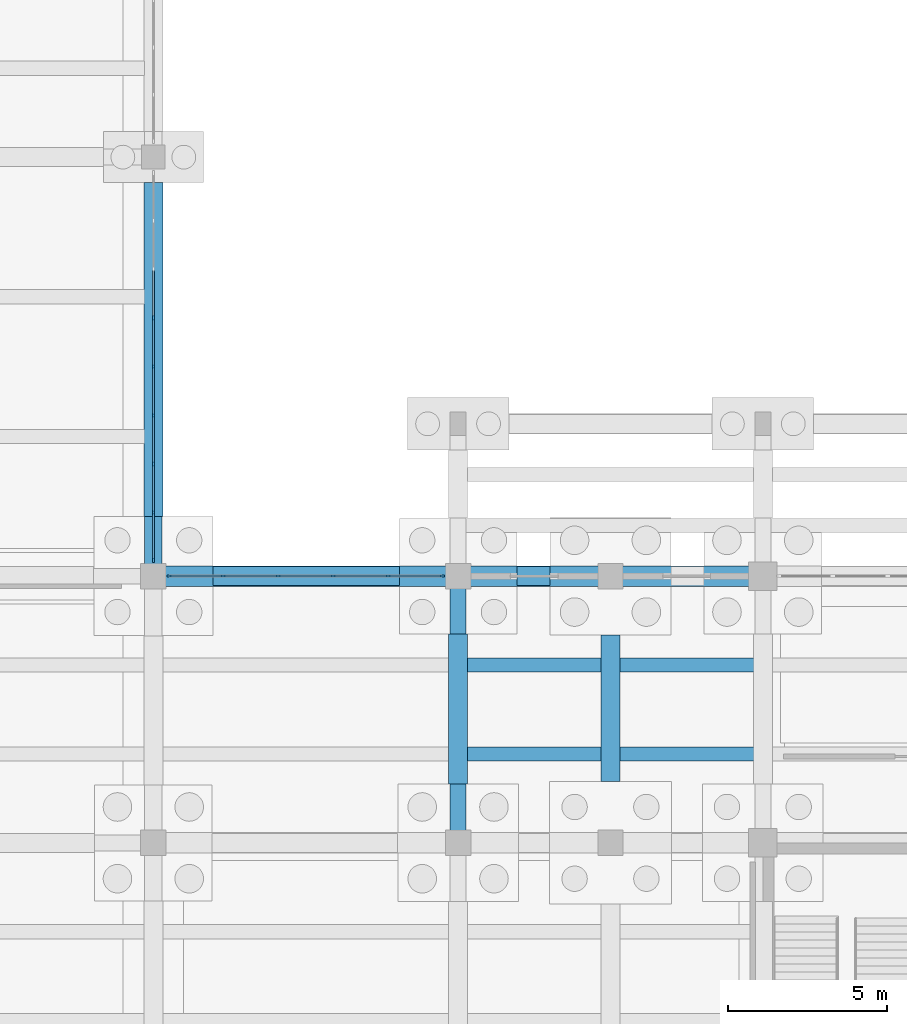
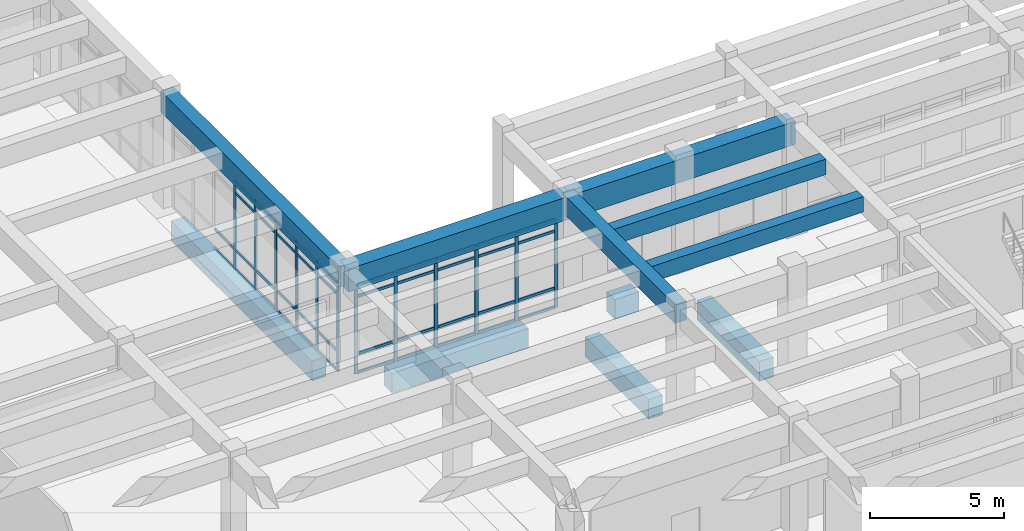
# One storey, part 19 of 102: 54 members, 11 beams, 2 elements without a shape of their own.
"""IFC4 building model written with IfcOpenShell, lengths in metres."""

from ifc_helpers import new_model, si_unit, direction, frame, origin, origin_2d, place, context, subcontext, project, spatial, rectangle, extrude, material, layer, layer_set, material_profile, profile_set, type_object, element, aggregate, save


model = new_model("IFC4")

# Units and contexts
model_context = context("Model", 3, precision=1e-05, world=origin(), true_north=direction((0.0, 1.0)))
body_context = subcontext(model_context, "Body", "Model", "MODEL_VIEW")
ifc_project = project(units=[si_unit("LENGTHUNIT", "METRE"), si_unit("AREAUNIT", "SQUARE_METRE"), si_unit("VOLUMEUNIT", "CUBIC_METRE"), si_unit("PLANEANGLEUNIT", "RADIAN"), si_unit("MASSUNIT", "GRAM", prefix="KILO")], contexts=[model_context])

# Site, building, storey
site_placement = place(None, origin())
site = spatial("IfcSite", under=ifc_project, at=site_placement, CompositionType="ELEMENT")
building_placement = place(site_placement, origin())
building = spatial("IfcBuilding", under=site, at=building_placement, Name="Kolvemor Railside Polytechnic", CompositionType="ELEMENT")
storey_placement = place(building_placement, origin())
storey = spatial("IfcBuildingStorey", under=building, at=storey_placement, Name="L00", CompositionType="ELEMENT", Elevation=0.0)

# Beams
ifc_material_1 = material(Name="Concrete C40/50", Category="concrete")
ifc_material_profile_1 = material_profile(ifc_material_1, rectangle(XDim=0.550048828125, YDim=0.949951171875, at=origin_2d()), Name="RC550x950")
ifc_profile_set_1 = profile_set([ifc_material_profile_1], Name="Concrete C40/50")
beam_type_1 = type_object("IfcBeamType", Name="BM-RC-GIRD", PredefinedType="BEAM", material=ifc_profile_set_1)
beam_1_placement = place(storey_placement, frame((48.0, 38.39990234375, 4.635009765625), z_axis=(0.0, 1.0, 0.0), x_axis=(-1.0, 0.0, 0.0)))
element("IfcBeam", 1, at=beam_1_placement, inside=storey, type_object=beam_type_1, Name="Primary Girder L01-GY 0100", PredefinedType="BEAM", context=body_context, shape_type="SweptSolid", body=[
    extrude(rectangle(XDim=0.550048828125, YDim=0.949951171875, at=origin_2d()), origin(), (0.0, 0.0, 1.0), 13.2001953125),
])
ifc_material_2 = material(Name="Concrete C40/50", Category="concrete")
ifc_material_profile_2 = material_profile(ifc_material_2, rectangle(XDim=0.64990234375, YDim=1.050048828125, at=origin_2d()), Name="RC650x1050")
ifc_profile_set_2 = profile_set([ifc_material_profile_2], Name="Concrete C40/50")
beam_type_2 = type_object("IfcBeamType", Name="BM-RC-GIRD2", PredefinedType="BEAM", material=ifc_profile_set_2)
beam_2_placement = place(storey_placement, frame((48.0, 38.39990234375, 4.5849609375), z_axis=(1.0, 0.0, 0.0), x_axis=(0.0, 1.0, 0.0)))
element("IfcBeam", 2, at=beam_2_placement, inside=storey, type_object=beam_type_2, Name="Primary Girder L01-GX 0227", PredefinedType="BEAM", context=body_context, shape_type="SweptSolid", body=[
    extrude(rectangle(XDim=0.64990234375, YDim=1.050048828125, at=origin_2d()), origin(), (0.0, 0.0, 1.0), 9.60009765625),
])
beam_3_placement = place(storey_placement, frame((57.60009765625, 38.39990234375, 4.5849609375), z_axis=(1.0, 0.0, 0.0), x_axis=(0.0, 1.0, 0.0)))
element("IfcBeam", 3, at=beam_3_placement, inside=storey, type_object=beam_type_2, Name="Primary Girder L01-GX 0228", PredefinedType="BEAM", context=body_context, shape_type="SweptSolid", body=[
    extrude(rectangle(XDim=0.64990234375, YDim=1.050048828125, at=origin_2d()), origin(), (0.0, 0.0, 1.0), 9.599853515625),
])
ifc_material_3 = material(Name="Concrete C40/50", Category="concrete")
ifc_material_profile_3 = material_profile(ifc_material_3, rectangle(XDim=0.5, YDim=0.85009765625, at=origin_2d()), Name="RC500x850")
ifc_profile_set_3 = profile_set([ifc_material_profile_3], Name="Concrete C40/50")
beam_type_3 = type_object("IfcBeamType", Name="BM-RC-GIRD3", PredefinedType="BEAM", material=ifc_profile_set_3)
beam_4_placement = place(storey_placement, frame((57.60009765625, 30.0, 4.68505859375), z_axis=(0.0, 1.0, 0.0), x_axis=(-1.0, 0.0, 0.0)))
element("IfcBeam", 4, at=beam_4_placement, inside=storey, type_object=beam_type_3, Name="Primary Girder L01-GY 0239", PredefinedType="BEAM", context=body_context, shape_type="SweptSolid", body=[
    extrude(rectangle(XDim=0.5, YDim=0.85009765625, at=origin_2d()), origin(), (0.0, 0.0, 1.0), 8.39990234375),
])
ifc_material_4 = material(Name="Concrete C40/50", Category="concrete")
ifc_material_profile_4 = material_profile(ifc_material_4, rectangle(XDim=0.449951171875, YDim=0.699951171875, at=origin_2d()), Name="RC450x700")
ifc_profile_set_4 = profile_set([ifc_material_profile_4], Name="Concrete C40/50")
beam_type_4 = type_object("IfcBeamType", Name="BM-RC-SEC2", PredefinedType="JOIST", material=ifc_profile_set_4)
for number, where, z_axis, x_axis, name in (
    (5, (57.85009765625, 32.800048828125, 4.760009765625), (1.0, 0.0, 0.0), (0.0, 1.0, 0.0), "Floor Joist L01-J0286"),
    (6, (57.85009765625, 35.60009765625, 4.760009765625), (1.0, 0.0, 0.0), (0.0, 1.0, 0.0), "Floor Joist L01-J0287"),
):
    element("IfcBeam", number, at=place(storey_placement, frame(where, z_axis=z_axis, x_axis=x_axis)), inside=storey, type_object=beam_type_4, Name=name, PredefinedType="JOIST", context=body_context, shape_type="SweptSolid", body=[
        extrude(rectangle(XDim=0.449951171875, YDim=0.699951171875, at=origin_2d()), origin(), (0.0, 0.0, 1.0), 9.099853515625),
    ])
ifc_material_5 = material(Name="Concrete C40/50", Category="concrete")
ifc_material_profile_5 = material_profile(ifc_material_5, rectangle(XDim=0.60009765625, YDim=0.89990234375, at=origin_2d()), Name="RC600x900")
ifc_profile_set_5 = profile_set([ifc_material_profile_5], Name="Concrete C40/50")
beam_type_5 = type_object("IfcBeamType", Name="BM-RC-TIE", PredefinedType="BEAM", material=ifc_profile_set_5)
beam_5_placement = place(storey_placement, frame((49.876953125, 38.39990234375, -0.75), z_axis=(1.0, 0.0, 0.0), x_axis=(0.0, 1.0, 0.0)))
element("IfcBeam", 7, at=beam_5_placement, inside=storey, type_object=beam_type_5, Name="Ground Tie Beam GTB-X112", PredefinedType="BEAM", context=body_context, shape_type="SweptSolid", body=[
    extrude(rectangle(XDim=0.60009765625, YDim=0.89990234375, at=origin_2d()), origin(), (0.0, 0.0, 1.0), 5.87109375),
])
beam_6_placement = place(storey_placement, frame((59.451904296875, 38.39990234375, -0.75), z_axis=(1.0, 0.0, 0.0), x_axis=(0.0, 1.0, 0.0)))
element("IfcBeam", 8, at=beam_6_placement, inside=storey, type_object=beam_type_5, Name="Ground Tie Beam GTB-X113", PredefinedType="BEAM", context=body_context, shape_type="SweptSolid", body=[
    extrude(rectangle(XDim=0.60009765625, YDim=0.89990234375, at=origin_2d()), origin(), (0.0, 0.0, 1.0), 1.046142578125),
])
beam_7_placement = place(storey_placement, frame((48.0, 40.277099609375, -0.75), z_axis=(0.0, 1.0, 0.0), x_axis=(-1.0, 0.0, 0.0)))
element("IfcBeam", 9, at=beam_7_placement, inside=storey, type_object=beam_type_5, Name="Ground Tie Beam GTB-Y292", PredefinedType="BEAM", context=body_context, shape_type="SweptSolid", body=[
    extrude(rectangle(XDim=0.60009765625, YDim=0.89990234375, at=origin_2d()), origin(), (0.0, 0.0, 1.0), 10.52099609375),
])
beam_8_placement = place(storey_placement, frame((57.60009765625, 31.85205078125, -0.75), z_axis=(0.0, 1.0, 0.0), x_axis=(-1.0, 0.0, 0.0)))
element("IfcBeam", 10, at=beam_8_placement, inside=storey, type_object=beam_type_5, Name="Ground Tie Beam GTB-Y304", PredefinedType="BEAM", context=body_context, shape_type="SweptSolid", body=[
    extrude(rectangle(XDim=0.60009765625, YDim=0.89990234375, at=origin_2d()), origin(), (0.0, 0.0, 1.0), 4.720947265625),
])
beam_9_placement = place(storey_placement, frame((62.39990234375, 31.927001953125, -0.75), z_axis=(0.0, 1.0, 0.0), x_axis=(-1.0, 0.0, 0.0)))
element("IfcBeam", 11, at=beam_9_placement, inside=storey, type_object=beam_type_5, Name="Ground Tie Beam GTB-Y311", PredefinedType="BEAM", context=body_context, shape_type="SweptSolid", body=[
    extrude(rectangle(XDim=0.60009765625, YDim=0.89990234375, at=origin_2d()), origin(), (0.0, 0.0, 1.0), 4.62109375),
])

# Curtain wall, members
ifc_material_6 = material(Name="Anodised marine aluminium and laminated low-E glass", Category="aluminium")
ifc_layer = layer(ifc_material_6, 0.179931640625, Name="CW-UNIT-STD")
ifc_layer_set = layer_set([ifc_layer], Name="Anodised marine aluminium and laminated low-E glass")
curtain_wall_type = type_object("IfcCurtainWallType", Name="CW-UNIT-STD", PredefinedType="USERDEFINED", material=ifc_layer_set)
curtain_wall_1_placement = place(storey_placement, origin())
curtain_wall_1 = element("IfcCurtainWall", 12, at=curtain_wall_1_placement, inside=storey, type_object=curtain_wall_type, Name="Curtain Wall L00-055", ObjectType="UNITISED CURTAIN WALL", PredefinedType="USERDEFINED")
ifc_material_7 = material(Name="Anodised marine aluminium 6063-T6", Category="aluminium")
ifc_material_profile_6 = material_profile(ifc_material_7, rectangle(XDim=0.06494140625, YDim=0.14990234375, at=origin_2d()), Name="CW-MUL-65x150")
ifc_profile_set_6 = profile_set([ifc_material_profile_6], Name="Anodised marine aluminium 6063-T6")
member_type_1 = type_object("IfcMemberType", Name="CWM-65x150", PredefinedType="MULLION", material=ifc_profile_set_6)
member_1_placement = place(storey_placement, frame((48.0, 38.902587890625, 0.0), z_axis=(0.0, 0.0, 1.0), x_axis=(-1.0, 0.0, 0.0)))
member_1 = element("IfcMember", 13, at=member_1_placement, type_object=member_type_1, Name="CW-STD mullion 1", PredefinedType="MULLION", context=body_context, shape_type="SweptSolid", body=[
    extrude(rectangle(XDim=0.06494140625, YDim=0.14990234375, at=origin_2d()), origin(), (0.0, 0.0, 1.0), 4.0400390625),
])
member_2_placement = place(storey_placement, frame((48.0, 40.402587890625, 0.0), z_axis=(0.0, 0.0, 1.0), x_axis=(-1.0, 0.0, 0.0)))
member_2 = element("IfcMember", 14, at=member_2_placement, type_object=member_type_1, Name="CW-STD mullion 2", PredefinedType="MULLION", context=body_context, shape_type="SweptSolid", body=[
    extrude(rectangle(XDim=0.06494140625, YDim=0.14990234375, at=origin_2d()), origin(), (0.0, 0.0, 1.0), 4.0400390625),
])
member_3_placement = place(storey_placement, frame((48.0, 41.93505859375, 0.0), z_axis=(0.0, 0.0, 1.0), x_axis=(-1.0, 0.0, 0.0)))
member_3 = element("IfcMember", 15, at=member_3_placement, type_object=member_type_1, Name="CW-STD mullion 3", PredefinedType="MULLION", context=body_context, shape_type="SweptSolid", body=[
    extrude(rectangle(XDim=0.06494140625, YDim=0.14990234375, at=origin_2d()), origin(), (0.0, 0.0, 1.0), 4.0400390625),
])
member_4_placement = place(storey_placement, frame((48.0, 43.467529296875, 0.0), z_axis=(0.0, 0.0, 1.0), x_axis=(-1.0, 0.0, 0.0)))
member_4 = element("IfcMember", 16, at=member_4_placement, type_object=member_type_1, Name="CW-STD mullion 4", PredefinedType="MULLION", context=body_context, shape_type="SweptSolid", body=[
    extrude(rectangle(XDim=0.06494140625, YDim=0.14990234375, at=origin_2d()), origin(), (0.0, 0.0, 1.0), 4.0400390625),
])
member_5_placement = place(storey_placement, frame((48.0, 45.0, 0.0), z_axis=(0.0, 0.0, 1.0), x_axis=(-1.0, 0.0, 0.0)))
member_5 = element("IfcMember", 17, at=member_5_placement, type_object=member_type_1, Name="CW-STD mullion 5", PredefinedType="MULLION", context=body_context, shape_type="SweptSolid", body=[
    extrude(rectangle(XDim=0.06494140625, YDim=0.14990234375, at=origin_2d()), origin(), (0.0, 0.0, 1.0), 4.0400390625),
])
member_6_placement = place(storey_placement, frame((48.0, 46.532470703125, 0.0), z_axis=(0.0, 0.0, 1.0), x_axis=(-1.0, 0.0, 0.0)))
member_6 = element("IfcMember", 18, at=member_6_placement, type_object=member_type_1, Name="CW-STD mullion 6", PredefinedType="MULLION", context=body_context, shape_type="SweptSolid", body=[
    extrude(rectangle(XDim=0.06494140625, YDim=0.14990234375, at=origin_2d()), origin(), (0.0, 0.0, 1.0), 4.0400390625),
])

curtain_wall_2_placement = place(storey_placement, origin())
curtain_wall_2 = element("IfcCurtainWall", 19, at=curtain_wall_2_placement, inside=storey, type_object=curtain_wall_type, Name="Curtain Wall L00-106", ObjectType="UNITISED CURTAIN WALL", PredefinedType="USERDEFINED")
member_7_placement = place(storey_placement, frame((57.097412109375, 38.39990234375, 0.0), z_axis=(0.0, 0.0, 1.0), x_axis=(0.0, -1.0, 0.0)))
member_7 = element("IfcMember", 20, at=member_7_placement, type_object=member_type_1, Name="CW-STD mullion 1", PredefinedType="MULLION", context=body_context, shape_type="SweptSolid", body=[
    extrude(rectangle(XDim=0.06494140625, YDim=0.14990234375, at=origin_2d()), origin(), (0.0, 0.0, 1.0), 4.0400390625),
])
member_8_placement = place(storey_placement, frame((55.39794921875, 38.39990234375, 0.0), z_axis=(0.0, 0.0, 1.0), x_axis=(0.0, -1.0, 0.0)))
member_8 = element("IfcMember", 21, at=member_8_placement, type_object=member_type_1, Name="CW-STD mullion 2", PredefinedType="MULLION", context=body_context, shape_type="SweptSolid", body=[
    extrude(rectangle(XDim=0.06494140625, YDim=0.14990234375, at=origin_2d()), origin(), (0.0, 0.0, 1.0), 4.0400390625),
])
member_9_placement = place(storey_placement, frame((53.666015625, 38.39990234375, 0.0), z_axis=(0.0, 0.0, 1.0), x_axis=(0.0, -1.0, 0.0)))
member_9 = element("IfcMember", 22, at=member_9_placement, type_object=member_type_1, Name="CW-STD mullion 3", PredefinedType="MULLION", context=body_context, shape_type="SweptSolid", body=[
    extrude(rectangle(XDim=0.06494140625, YDim=0.14990234375, at=origin_2d()), origin(), (0.0, 0.0, 1.0), 4.0400390625),
])
member_10_placement = place(storey_placement, frame((51.93408203125, 38.39990234375, 0.0), z_axis=(0.0, 0.0, 1.0), x_axis=(0.0, -1.0, 0.0)))
member_10 = element("IfcMember", 23, at=member_10_placement, type_object=member_type_1, Name="CW-STD mullion 4", PredefinedType="MULLION", context=body_context, shape_type="SweptSolid", body=[
    extrude(rectangle(XDim=0.06494140625, YDim=0.14990234375, at=origin_2d()), origin(), (0.0, 0.0, 1.0), 4.0400390625),
])
member_11_placement = place(storey_placement, frame((50.201904296875, 38.39990234375, 0.0), z_axis=(0.0, 0.0, 1.0), x_axis=(0.0, -1.0, 0.0)))
member_11 = element("IfcMember", 24, at=member_11_placement, type_object=member_type_1, Name="CW-STD mullion 5", PredefinedType="MULLION", context=body_context, shape_type="SweptSolid", body=[
    extrude(rectangle(XDim=0.06494140625, YDim=0.14990234375, at=origin_2d()), origin(), (0.0, 0.0, 1.0), 4.0400390625),
])
member_12_placement = place(storey_placement, frame((48.50244140625, 38.39990234375, 0.0), z_axis=(0.0, 0.0, 1.0), x_axis=(0.0, -1.0, 0.0)))
member_12 = element("IfcMember", 25, at=member_12_placement, type_object=member_type_1, Name="CW-STD mullion 6", PredefinedType="MULLION", context=body_context, shape_type="SweptSolid", body=[
    extrude(rectangle(XDim=0.06494140625, YDim=0.14990234375, at=origin_2d()), origin(), (0.0, 0.0, 1.0), 4.0400390625),
])

# Member
ifc_material_8 = material(Name="Anodised marine aluminium 6063-T6", Category="aluminium")
ifc_material_profile_7 = material_profile(ifc_material_8, rectangle(XDim=0.06494140625, YDim=0.1201171875, at=origin_2d()), Name="CW-TRN-65x120")
ifc_profile_set_7 = profile_set([ifc_material_profile_7], Name="Anodised marine aluminium 6063-T6")
member_type_2 = type_object("IfcMemberType", Name="CWT-65x120", PredefinedType="USERDEFINED", material=ifc_profile_set_7)
member_13_placement = place(storey_placement, frame((48.0, 38.93505859375, 0.032470703125), z_axis=(0.0, 1.0, 0.0), x_axis=(-1.0, 0.0, 0.0)))
member_13 = element("IfcMember", 26, at=member_13_placement, type_object=member_type_2, Name="CW-STD transom 1.1", ObjectType="TRANSOM", PredefinedType="USERDEFINED", context=body_context, shape_type="SweptSolid", body=[
    extrude(rectangle(XDim=0.06494140625, YDim=0.1201171875, at=origin_2d()), origin(), (0.0, 0.0, 1.0), 1.43505859375),
])

member_14_placement = place(storey_placement, frame((48.0, 38.93505859375, 0.89990234375), z_axis=(0.0, 1.0, 0.0), x_axis=(-1.0, 0.0, 0.0)))
member_14 = element("IfcMember", 27, at=member_14_placement, type_object=member_type_2, Name="CW-STD transom 1.2", ObjectType="TRANSOM", PredefinedType="USERDEFINED", context=body_context, shape_type="SweptSolid", body=[
    extrude(rectangle(XDim=0.06494140625, YDim=0.1201171875, at=origin_2d()), origin(), (0.0, 0.0, 1.0), 1.43505859375),
])

member_15_placement = place(storey_placement, frame((48.0, 38.93505859375, 3.489990234375), z_axis=(0.0, 1.0, 0.0), x_axis=(-1.0, 0.0, 0.0)))
member_15 = element("IfcMember", 28, at=member_15_placement, type_object=member_type_2, Name="CW-STD transom 1.3", ObjectType="TRANSOM", PredefinedType="USERDEFINED", context=body_context, shape_type="SweptSolid", body=[
    extrude(rectangle(XDim=0.06494140625, YDim=0.1201171875, at=origin_2d()), origin(), (0.0, 0.0, 1.0), 1.43505859375),
])

member_16_placement = place(storey_placement, frame((48.0, 38.93505859375, 4.007568359375), z_axis=(0.0, 1.0, 0.0), x_axis=(-1.0, 0.0, 0.0)))
member_16 = element("IfcMember", 29, at=member_16_placement, type_object=member_type_2, Name="CW-STD transom 1.4", ObjectType="TRANSOM", PredefinedType="USERDEFINED", context=body_context, shape_type="SweptSolid", body=[
    extrude(rectangle(XDim=0.06494140625, YDim=0.1201171875, at=origin_2d()), origin(), (0.0, 0.0, 1.0), 1.43505859375),
])

member_17_placement = place(storey_placement, frame((48.0, 40.43505859375, 0.032470703125), z_axis=(0.0, 1.0, 0.0), x_axis=(-1.0, 0.0, 0.0)))
member_17 = element("IfcMember", 30, at=member_17_placement, type_object=member_type_2, Name="CW-STD transom 2.1", ObjectType="TRANSOM", PredefinedType="USERDEFINED", context=body_context, shape_type="SweptSolid", body=[
    extrude(rectangle(XDim=0.06494140625, YDim=0.1201171875, at=origin_2d()), origin(), (0.0, 0.0, 1.0), 1.467529296875),
])

member_18_placement = place(storey_placement, frame((48.0, 40.43505859375, 0.89990234375), z_axis=(0.0, 1.0, 0.0), x_axis=(-1.0, 0.0, 0.0)))
member_18 = element("IfcMember", 31, at=member_18_placement, type_object=member_type_2, Name="CW-STD transom 2.2", ObjectType="TRANSOM", PredefinedType="USERDEFINED", context=body_context, shape_type="SweptSolid", body=[
    extrude(rectangle(XDim=0.06494140625, YDim=0.1201171875, at=origin_2d()), origin(), (0.0, 0.0, 1.0), 1.467529296875),
])

member_19_placement = place(storey_placement, frame((48.0, 40.43505859375, 3.489990234375), z_axis=(0.0, 1.0, 0.0), x_axis=(-1.0, 0.0, 0.0)))
member_19 = element("IfcMember", 32, at=member_19_placement, type_object=member_type_2, Name="CW-STD transom 2.3", ObjectType="TRANSOM", PredefinedType="USERDEFINED", context=body_context, shape_type="SweptSolid", body=[
    extrude(rectangle(XDim=0.06494140625, YDim=0.1201171875, at=origin_2d()), origin(), (0.0, 0.0, 1.0), 1.467529296875),
])

member_20_placement = place(storey_placement, frame((48.0, 40.43505859375, 4.007568359375), z_axis=(0.0, 1.0, 0.0), x_axis=(-1.0, 0.0, 0.0)))
member_20 = element("IfcMember", 33, at=member_20_placement, type_object=member_type_2, Name="CW-STD transom 2.4", ObjectType="TRANSOM", PredefinedType="USERDEFINED", context=body_context, shape_type="SweptSolid", body=[
    extrude(rectangle(XDim=0.06494140625, YDim=0.1201171875, at=origin_2d()), origin(), (0.0, 0.0, 1.0), 1.467529296875),
])

member_21_placement = place(storey_placement, frame((48.0, 41.967529296875, 0.032470703125), z_axis=(0.0, 1.0, 0.0), x_axis=(-1.0, 0.0, 0.0)))
member_21 = element("IfcMember", 34, at=member_21_placement, type_object=member_type_2, Name="CW-STD transom 3.1", ObjectType="TRANSOM", PredefinedType="USERDEFINED", context=body_context, shape_type="SweptSolid", body=[
    extrude(rectangle(XDim=0.06494140625, YDim=0.1201171875, at=origin_2d()), origin(), (0.0, 0.0, 1.0), 1.467529296875),
])

member_22_placement = place(storey_placement, frame((48.0, 41.967529296875, 0.89990234375), z_axis=(0.0, 1.0, 0.0), x_axis=(-1.0, 0.0, 0.0)))
member_22 = element("IfcMember", 35, at=member_22_placement, type_object=member_type_2, Name="CW-STD transom 3.2", ObjectType="TRANSOM", PredefinedType="USERDEFINED", context=body_context, shape_type="SweptSolid", body=[
    extrude(rectangle(XDim=0.06494140625, YDim=0.1201171875, at=origin_2d()), origin(), (0.0, 0.0, 1.0), 1.467529296875),
])

member_23_placement = place(storey_placement, frame((48.0, 41.967529296875, 3.489990234375), z_axis=(0.0, 1.0, 0.0), x_axis=(-1.0, 0.0, 0.0)))
member_23 = element("IfcMember", 36, at=member_23_placement, type_object=member_type_2, Name="CW-STD transom 3.3", ObjectType="TRANSOM", PredefinedType="USERDEFINED", context=body_context, shape_type="SweptSolid", body=[
    extrude(rectangle(XDim=0.06494140625, YDim=0.1201171875, at=origin_2d()), origin(), (0.0, 0.0, 1.0), 1.467529296875),
])

member_24_placement = place(storey_placement, frame((48.0, 41.967529296875, 4.007568359375), z_axis=(0.0, 1.0, 0.0), x_axis=(-1.0, 0.0, 0.0)))
member_24 = element("IfcMember", 37, at=member_24_placement, type_object=member_type_2, Name="CW-STD transom 3.4", ObjectType="TRANSOM", PredefinedType="USERDEFINED", context=body_context, shape_type="SweptSolid", body=[
    extrude(rectangle(XDim=0.06494140625, YDim=0.1201171875, at=origin_2d()), origin(), (0.0, 0.0, 1.0), 1.467529296875),
])

member_25_placement = place(storey_placement, frame((48.0, 43.5, 0.032470703125), z_axis=(0.0, 1.0, 0.0), x_axis=(-1.0, 0.0, 0.0)))
member_25 = element("IfcMember", 38, at=member_25_placement, type_object=member_type_2, Name="CW-STD transom 4.1", ObjectType="TRANSOM", PredefinedType="USERDEFINED", context=body_context, shape_type="SweptSolid", body=[
    extrude(rectangle(XDim=0.06494140625, YDim=0.1201171875, at=origin_2d()), origin(), (0.0, 0.0, 1.0), 1.467529296875),
])

member_26_placement = place(storey_placement, frame((48.0, 43.5, 0.89990234375), z_axis=(0.0, 1.0, 0.0), x_axis=(-1.0, 0.0, 0.0)))
member_26 = element("IfcMember", 39, at=member_26_placement, type_object=member_type_2, Name="CW-STD transom 4.2", ObjectType="TRANSOM", PredefinedType="USERDEFINED", context=body_context, shape_type="SweptSolid", body=[
    extrude(rectangle(XDim=0.06494140625, YDim=0.1201171875, at=origin_2d()), origin(), (0.0, 0.0, 1.0), 1.467529296875),
])

member_27_placement = place(storey_placement, frame((48.0, 43.5, 3.489990234375), z_axis=(0.0, 1.0, 0.0), x_axis=(-1.0, 0.0, 0.0)))
member_27 = element("IfcMember", 40, at=member_27_placement, type_object=member_type_2, Name="CW-STD transom 4.3", ObjectType="TRANSOM", PredefinedType="USERDEFINED", context=body_context, shape_type="SweptSolid", body=[
    extrude(rectangle(XDim=0.06494140625, YDim=0.1201171875, at=origin_2d()), origin(), (0.0, 0.0, 1.0), 1.467529296875),
])

member_28_placement = place(storey_placement, frame((48.0, 43.5, 4.007568359375), z_axis=(0.0, 1.0, 0.0), x_axis=(-1.0, 0.0, 0.0)))
member_28 = element("IfcMember", 41, at=member_28_placement, type_object=member_type_2, Name="CW-STD transom 4.4", ObjectType="TRANSOM", PredefinedType="USERDEFINED", context=body_context, shape_type="SweptSolid", body=[
    extrude(rectangle(XDim=0.06494140625, YDim=0.1201171875, at=origin_2d()), origin(), (0.0, 0.0, 1.0), 1.467529296875),
])

member_29_placement = place(storey_placement, frame((48.0, 45.032470703125, 0.032470703125), z_axis=(0.0, 1.0, 0.0), x_axis=(-1.0, 0.0, 0.0)))
member_29 = element("IfcMember", 42, at=member_29_placement, type_object=member_type_2, Name="CW-STD transom 5.1", ObjectType="TRANSOM", PredefinedType="USERDEFINED", context=body_context, shape_type="SweptSolid", body=[
    extrude(rectangle(XDim=0.06494140625, YDim=0.1201171875, at=origin_2d()), origin(), (0.0, 0.0, 1.0), 1.467529296875),
])

member_30_placement = place(storey_placement, frame((48.0, 45.032470703125, 0.89990234375), z_axis=(0.0, 1.0, 0.0), x_axis=(-1.0, 0.0, 0.0)))
member_30 = element("IfcMember", 43, at=member_30_placement, type_object=member_type_2, Name="CW-STD transom 5.2", ObjectType="TRANSOM", PredefinedType="USERDEFINED", context=body_context, shape_type="SweptSolid", body=[
    extrude(rectangle(XDim=0.06494140625, YDim=0.1201171875, at=origin_2d()), origin(), (0.0, 0.0, 1.0), 1.467529296875),
])

member_31_placement = place(storey_placement, frame((48.0, 45.032470703125, 3.489990234375), z_axis=(0.0, 1.0, 0.0), x_axis=(-1.0, 0.0, 0.0)))
member_31 = element("IfcMember", 44, at=member_31_placement, type_object=member_type_2, Name="CW-STD transom 5.3", ObjectType="TRANSOM", PredefinedType="USERDEFINED", context=body_context, shape_type="SweptSolid", body=[
    extrude(rectangle(XDim=0.06494140625, YDim=0.1201171875, at=origin_2d()), origin(), (0.0, 0.0, 1.0), 1.467529296875),
])

member_32_placement = place(storey_placement, frame((48.0, 45.032470703125, 4.007568359375), z_axis=(0.0, 1.0, 0.0), x_axis=(-1.0, 0.0, 0.0)))
member_32 = element("IfcMember", 45, at=member_32_placement, type_object=member_type_2, Name="CW-STD transom 5.4", ObjectType="TRANSOM", PredefinedType="USERDEFINED", context=body_context, shape_type="SweptSolid", body=[
    extrude(rectangle(XDim=0.06494140625, YDim=0.1201171875, at=origin_2d()), origin(), (0.0, 0.0, 1.0), 1.467529296875),
])

member_33_placement = place(storey_placement, frame((48.0, 46.56494140625, 0.032470703125), z_axis=(0.0, 1.0, 0.0), x_axis=(-1.0, 0.0, 0.0)))
member_33 = element("IfcMember", 46, at=member_33_placement, type_object=member_type_2, Name="CW-STD transom 6.1", ObjectType="TRANSOM", PredefinedType="USERDEFINED", context=body_context, shape_type="SweptSolid", body=[
    extrude(rectangle(XDim=0.06494140625, YDim=0.1201171875, at=origin_2d()), origin(), (0.0, 0.0, 1.0), 1.467529296875),
])

member_34_placement = place(storey_placement, frame((48.0, 46.56494140625, 0.89990234375), z_axis=(0.0, 1.0, 0.0), x_axis=(-1.0, 0.0, 0.0)))
member_34 = element("IfcMember", 47, at=member_34_placement, type_object=member_type_2, Name="CW-STD transom 6.2", ObjectType="TRANSOM", PredefinedType="USERDEFINED", context=body_context, shape_type="SweptSolid", body=[
    extrude(rectangle(XDim=0.06494140625, YDim=0.1201171875, at=origin_2d()), origin(), (0.0, 0.0, 1.0), 1.467529296875),
])

aggregate(curtain_wall_1, [member_1, member_2, member_3, member_4, member_5, member_6, member_13, member_14, member_15, member_16, member_17, member_18, member_19, member_20, member_21, member_22, member_23, member_24, member_25, member_26, member_27, member_28, member_29, member_30, member_31, member_32, member_33, member_34])

member_35_placement = place(storey_placement, frame((57.06494140625, 38.39990234375, 0.032470703125), z_axis=(-1.0, 0.0, 0.0), x_axis=(0.0, -1.0, 0.0)))
member_35 = element("IfcMember", 48, at=member_35_placement, type_object=member_type_2, Name="CW-STD transom 1.1", ObjectType="TRANSOM", PredefinedType="USERDEFINED", context=body_context, shape_type="SweptSolid", body=[
    extrude(rectangle(XDim=0.06494140625, YDim=0.1201171875, at=origin_2d()), origin(), (0.0, 0.0, 1.0), 1.634521484375),
])

member_36_placement = place(storey_placement, frame((57.06494140625, 38.39990234375, 0.89990234375), z_axis=(-1.0, 0.0, 0.0), x_axis=(0.0, -1.0, 0.0)))
member_36 = element("IfcMember", 49, at=member_36_placement, type_object=member_type_2, Name="CW-STD transom 1.2", ObjectType="TRANSOM", PredefinedType="USERDEFINED", context=body_context, shape_type="SweptSolid", body=[
    extrude(rectangle(XDim=0.06494140625, YDim=0.1201171875, at=origin_2d()), origin(), (0.0, 0.0, 1.0), 1.634521484375),
])

member_37_placement = place(storey_placement, frame((57.06494140625, 38.39990234375, 3.489990234375), z_axis=(-1.0, 0.0, 0.0), x_axis=(0.0, -1.0, 0.0)))
member_37 = element("IfcMember", 50, at=member_37_placement, type_object=member_type_2, Name="CW-STD transom 1.3", ObjectType="TRANSOM", PredefinedType="USERDEFINED", context=body_context, shape_type="SweptSolid", body=[
    extrude(rectangle(XDim=0.06494140625, YDim=0.1201171875, at=origin_2d()), origin(), (0.0, 0.0, 1.0), 1.634521484375),
])

member_38_placement = place(storey_placement, frame((57.06494140625, 38.39990234375, 4.007568359375), z_axis=(-1.0, 0.0, 0.0), x_axis=(0.0, -1.0, 0.0)))
member_38 = element("IfcMember", 51, at=member_38_placement, type_object=member_type_2, Name="CW-STD transom 1.4", ObjectType="TRANSOM", PredefinedType="USERDEFINED", context=body_context, shape_type="SweptSolid", body=[
    extrude(rectangle(XDim=0.06494140625, YDim=0.1201171875, at=origin_2d()), origin(), (0.0, 0.0, 1.0), 1.634521484375),
])

member_39_placement = place(storey_placement, frame((55.365478515625, 38.39990234375, 0.032470703125), z_axis=(-1.0, 0.0, 0.0), x_axis=(0.0, -1.0, 0.0)))
member_39 = element("IfcMember", 52, at=member_39_placement, type_object=member_type_2, Name="CW-STD transom 2.1", ObjectType="TRANSOM", PredefinedType="USERDEFINED", context=body_context, shape_type="SweptSolid", body=[
    extrude(rectangle(XDim=0.06494140625, YDim=0.1201171875, at=origin_2d()), origin(), (0.0, 0.0, 1.0), 1.6669921875),
])

member_40_placement = place(storey_placement, frame((55.365478515625, 38.39990234375, 0.89990234375), z_axis=(-1.0, 0.0, 0.0), x_axis=(0.0, -1.0, 0.0)))
member_40 = element("IfcMember", 53, at=member_40_placement, type_object=member_type_2, Name="CW-STD transom 2.2", ObjectType="TRANSOM", PredefinedType="USERDEFINED", context=body_context, shape_type="SweptSolid", body=[
    extrude(rectangle(XDim=0.06494140625, YDim=0.1201171875, at=origin_2d()), origin(), (0.0, 0.0, 1.0), 1.6669921875),
])

member_41_placement = place(storey_placement, frame((55.365478515625, 38.39990234375, 3.489990234375), z_axis=(-1.0, 0.0, 0.0), x_axis=(0.0, -1.0, 0.0)))
member_41 = element("IfcMember", 54, at=member_41_placement, type_object=member_type_2, Name="CW-STD transom 2.3", ObjectType="TRANSOM", PredefinedType="USERDEFINED", context=body_context, shape_type="SweptSolid", body=[
    extrude(rectangle(XDim=0.06494140625, YDim=0.1201171875, at=origin_2d()), origin(), (0.0, 0.0, 1.0), 1.6669921875),
])

member_42_placement = place(storey_placement, frame((55.365478515625, 38.39990234375, 4.007568359375), z_axis=(-1.0, 0.0, 0.0), x_axis=(0.0, -1.0, 0.0)))
member_42 = element("IfcMember", 55, at=member_42_placement, type_object=member_type_2, Name="CW-STD transom 2.4", ObjectType="TRANSOM", PredefinedType="USERDEFINED", context=body_context, shape_type="SweptSolid", body=[
    extrude(rectangle(XDim=0.06494140625, YDim=0.1201171875, at=origin_2d()), origin(), (0.0, 0.0, 1.0), 1.6669921875),
])

member_43_placement = place(storey_placement, frame((53.633544921875, 38.39990234375, 0.032470703125), z_axis=(-1.0, 0.0, 0.0), x_axis=(0.0, -1.0, 0.0)))
member_43 = element("IfcMember", 56, at=member_43_placement, type_object=member_type_2, Name="CW-STD transom 3.1", ObjectType="TRANSOM", PredefinedType="USERDEFINED", context=body_context, shape_type="SweptSolid", body=[
    extrude(rectangle(XDim=0.06494140625, YDim=0.1201171875, at=origin_2d()), origin(), (0.0, 0.0, 1.0), 1.6669921875),
])

member_44_placement = place(storey_placement, frame((53.633544921875, 38.39990234375, 0.89990234375), z_axis=(-1.0, 0.0, 0.0), x_axis=(0.0, -1.0, 0.0)))
member_44 = element("IfcMember", 57, at=member_44_placement, type_object=member_type_2, Name="CW-STD transom 3.2", ObjectType="TRANSOM", PredefinedType="USERDEFINED", context=body_context, shape_type="SweptSolid", body=[
    extrude(rectangle(XDim=0.06494140625, YDim=0.1201171875, at=origin_2d()), origin(), (0.0, 0.0, 1.0), 1.6669921875),
])

member_45_placement = place(storey_placement, frame((53.633544921875, 38.39990234375, 3.489990234375), z_axis=(-1.0, 0.0, 0.0), x_axis=(0.0, -1.0, 0.0)))
member_45 = element("IfcMember", 58, at=member_45_placement, type_object=member_type_2, Name="CW-STD transom 3.3", ObjectType="TRANSOM", PredefinedType="USERDEFINED", context=body_context, shape_type="SweptSolid", body=[
    extrude(rectangle(XDim=0.06494140625, YDim=0.1201171875, at=origin_2d()), origin(), (0.0, 0.0, 1.0), 1.6669921875),
])

member_46_placement = place(storey_placement, frame((53.633544921875, 38.39990234375, 4.007568359375), z_axis=(-1.0, 0.0, 0.0), x_axis=(0.0, -1.0, 0.0)))
member_46 = element("IfcMember", 59, at=member_46_placement, type_object=member_type_2, Name="CW-STD transom 3.4", ObjectType="TRANSOM", PredefinedType="USERDEFINED", context=body_context, shape_type="SweptSolid", body=[
    extrude(rectangle(XDim=0.06494140625, YDim=0.1201171875, at=origin_2d()), origin(), (0.0, 0.0, 1.0), 1.6669921875),
])

member_47_placement = place(storey_placement, frame((51.901611328125, 38.39990234375, 0.032470703125), z_axis=(-1.0, 0.0, 0.0), x_axis=(0.0, -1.0, 0.0)))
member_47 = element("IfcMember", 60, at=member_47_placement, type_object=member_type_2, Name="CW-STD transom 4.1", ObjectType="TRANSOM", PredefinedType="USERDEFINED", context=body_context, shape_type="SweptSolid", body=[
    extrude(rectangle(XDim=0.06494140625, YDim=0.1201171875, at=origin_2d()), origin(), (0.0, 0.0, 1.0), 1.6669921875),
])

member_48_placement = place(storey_placement, frame((51.901611328125, 38.39990234375, 0.89990234375), z_axis=(-1.0, 0.0, 0.0), x_axis=(0.0, -1.0, 0.0)))
member_48 = element("IfcMember", 61, at=member_48_placement, type_object=member_type_2, Name="CW-STD transom 4.2", ObjectType="TRANSOM", PredefinedType="USERDEFINED", context=body_context, shape_type="SweptSolid", body=[
    extrude(rectangle(XDim=0.06494140625, YDim=0.1201171875, at=origin_2d()), origin(), (0.0, 0.0, 1.0), 1.6669921875),
])

member_49_placement = place(storey_placement, frame((51.901611328125, 38.39990234375, 3.489990234375), z_axis=(-1.0, 0.0, 0.0), x_axis=(0.0, -1.0, 0.0)))
member_49 = element("IfcMember", 62, at=member_49_placement, type_object=member_type_2, Name="CW-STD transom 4.3", ObjectType="TRANSOM", PredefinedType="USERDEFINED", context=body_context, shape_type="SweptSolid", body=[
    extrude(rectangle(XDim=0.06494140625, YDim=0.1201171875, at=origin_2d()), origin(), (0.0, 0.0, 1.0), 1.6669921875),
])

member_50_placement = place(storey_placement, frame((51.901611328125, 38.39990234375, 4.007568359375), z_axis=(-1.0, 0.0, 0.0), x_axis=(0.0, -1.0, 0.0)))
member_50 = element("IfcMember", 63, at=member_50_placement, type_object=member_type_2, Name="CW-STD transom 4.4", ObjectType="TRANSOM", PredefinedType="USERDEFINED", context=body_context, shape_type="SweptSolid", body=[
    extrude(rectangle(XDim=0.06494140625, YDim=0.1201171875, at=origin_2d()), origin(), (0.0, 0.0, 1.0), 1.6669921875),
])

member_51_placement = place(storey_placement, frame((50.16943359375, 38.39990234375, 0.032470703125), z_axis=(-1.0, 0.0, 0.0), x_axis=(0.0, -1.0, 0.0)))
member_51 = element("IfcMember", 64, at=member_51_placement, type_object=member_type_2, Name="CW-STD transom 5.1", ObjectType="TRANSOM", PredefinedType="USERDEFINED", context=body_context, shape_type="SweptSolid", body=[
    extrude(rectangle(XDim=0.06494140625, YDim=0.1201171875, at=origin_2d()), origin(), (0.0, 0.0, 1.0), 1.634521484375),
])

member_52_placement = place(storey_placement, frame((50.16943359375, 38.39990234375, 0.89990234375), z_axis=(-1.0, 0.0, 0.0), x_axis=(0.0, -1.0, 0.0)))
member_52 = element("IfcMember", 65, at=member_52_placement, type_object=member_type_2, Name="CW-STD transom 5.2", ObjectType="TRANSOM", PredefinedType="USERDEFINED", context=body_context, shape_type="SweptSolid", body=[
    extrude(rectangle(XDim=0.06494140625, YDim=0.1201171875, at=origin_2d()), origin(), (0.0, 0.0, 1.0), 1.634521484375),
])

member_53_placement = place(storey_placement, frame((50.16943359375, 38.39990234375, 3.489990234375), z_axis=(-1.0, 0.0, 0.0), x_axis=(0.0, -1.0, 0.0)))
member_53 = element("IfcMember", 66, at=member_53_placement, type_object=member_type_2, Name="CW-STD transom 5.3", ObjectType="TRANSOM", PredefinedType="USERDEFINED", context=body_context, shape_type="SweptSolid", body=[
    extrude(rectangle(XDim=0.06494140625, YDim=0.1201171875, at=origin_2d()), origin(), (0.0, 0.0, 1.0), 1.634521484375),
])

member_54_placement = place(storey_placement, frame((50.16943359375, 38.39990234375, 4.007568359375), z_axis=(-1.0, 0.0, 0.0), x_axis=(0.0, -1.0, 0.0)))
member_54 = element("IfcMember", 67, at=member_54_placement, type_object=member_type_2, Name="CW-STD transom 5.4", ObjectType="TRANSOM", PredefinedType="USERDEFINED", context=body_context, shape_type="SweptSolid", body=[
    extrude(rectangle(XDim=0.06494140625, YDim=0.1201171875, at=origin_2d()), origin(), (0.0, 0.0, 1.0), 1.634521484375),
])

aggregate(curtain_wall_2, [member_7, member_8, member_9, member_10, member_11, member_12, member_35, member_36, member_37, member_38, member_39, member_40, member_41, member_42, member_43, member_44, member_45, member_46, member_47, member_48, member_49, member_50, member_51, member_52, member_53, member_54])

save(model, "model.ifc")
